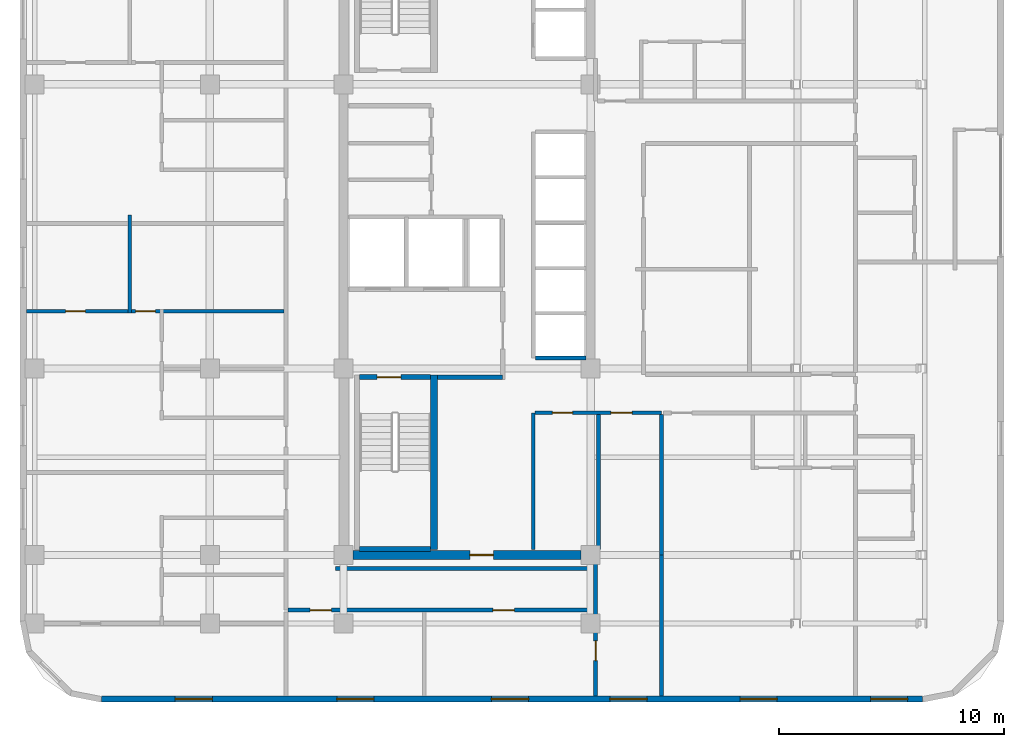
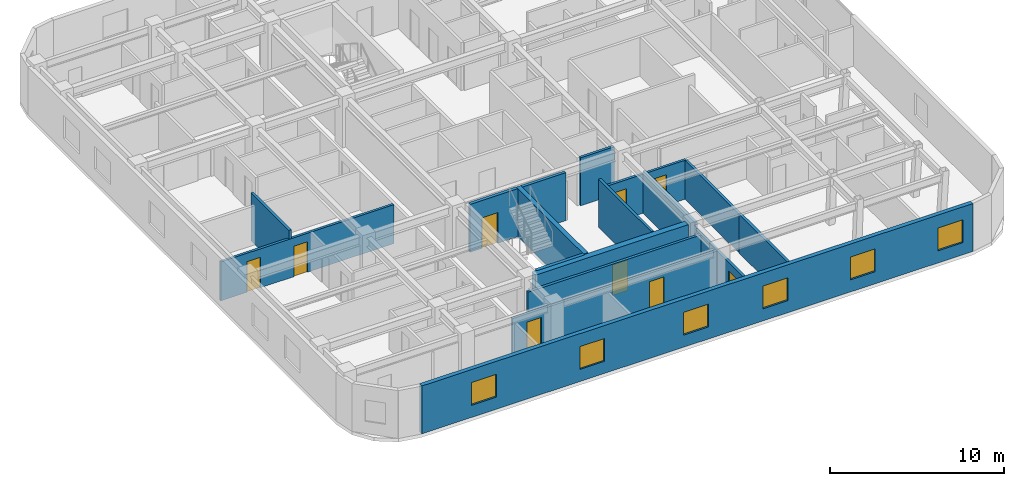
# One storey, part 4 of 9: 17 walls, 9 doors, 6 windows, 15 openings.
"""IFC4 building model written with IfcOpenShell, lengths in metres."""

from ifc_helpers import new_model, si_unit, direction, frame, frame_2d, origin, place, context, subcontext, project, spatial, rectangle, extrude, material, layer, layer_set, type_object, element, fill, save


model = new_model("IFC4")

# Units and contexts
model_context = context("Model", 3, precision=1e-05, world=origin(), true_north=direction((0.0, 1.0)))
body_context = subcontext(model_context, "Body", "Model", "MODEL_VIEW")
ifc_project = project(units=[si_unit("LENGTHUNIT", "METRE"), si_unit("AREAUNIT", "SQUARE_METRE"), si_unit("VOLUMEUNIT", "CUBIC_METRE"), si_unit("PLANEANGLEUNIT", "RADIAN"), si_unit("MASSUNIT", "GRAM", prefix="KILO")], contexts=[model_context])

# Site, building, storey
site_placement = place(None, origin())
site = spatial("IfcSite", under=ifc_project, at=site_placement, CompositionType="ELEMENT")
building_placement = place(site_placement, origin())
building = spatial("IfcBuilding", under=site, at=building_placement, Name="Ochreholt Gables", CompositionType="ELEMENT")
storey_placement = place(building_placement, frame((0.0, 0.0, 124.800048828125)))
storey = spatial("IfcBuildingStorey", under=building, at=storey_placement, Name="L32", CompositionType="ELEMENT", Elevation=124.800048828125)

# Wall, opening, door
ifc_material_1 = material(Name="Concrete 60 MPa", Category="concrete")
ifc_layer_1 = layer(ifc_material_1, 0.39990234375, Name="Concrete 60 MPa")
ifc_layer_set_1 = layer_set([ifc_layer_1], Name="Concrete 60 MPa")
wall_type_1 = type_object("IfcWallType", Name="WALL-CSW-400", PredefinedType="SHEAR", material=ifc_layer_set_1)
wall_1_placement = place(storey_placement, frame((24.625, 9.25, 0.0), z_axis=(0.0, 0.0, 1.0), x_axis=(1.0, 0.0, 0.0)))
wall_1 = element("IfcWall", 1, at=wall_1_placement, inside=storey, type_object=wall_type_1, Name="L32 Core South Shear Wall", PredefinedType="SHEAR", context=body_context, shape_type="SweptSolid", body=[
    extrude(rectangle(XDim=10.14990234375, YDim=0.39990234375, at=frame_2d((5.074951171875, 0.0))), origin(), (0.0, 0.0, 1.0), 3.35986328125),
])
opening_1_placement = place(wall_1_placement, frame((5.199951171875, 0.0, 0.0)))
opening_1 = element("IfcOpeningElement", 2, at=opening_1_placement, cuts=wall_1, Name="Opening D-FLB", PredefinedType="OPENING", context=body_context, shape_type="SweptSolid", body=[
    extrude(rectangle(XDim=1.050048828125, YDim=2.14990234375, at=frame_2d((0.52490234375, 1.074951171875))), frame((0.0, 0.2099609375, 0.0), z_axis=(0.0, -1.0, 0.0), x_axis=(1.0, 0.0, 0.0)), (0.0, 0.0, 1.0), 0.419921875),
])
ifc_material_2 = material(Name="Hollow Metal Steel", Category="steel")
door_type_1 = type_object("IfcDoorType", Name="DR-INT-FLB1050", OperationType="NOTDEFINED", PredefinedType="DOOR", material=ifc_material_2)
door_1_placement = place(opening_1_placement, origin())
door_1 = element("IfcDoor", 3, at=door_1_placement, inside=storey, type_object=door_type_1, Name="L32 Door D-C2CRS-L32", OperationType="SINGLE_SWING_LEFT", OverallHeight=2.14990234375, OverallWidth=1.050048828125, PredefinedType="DOOR", context=body_context, shape_type="SweptSolid", body=[
    extrude(rectangle(XDim=1.050048828125, YDim=2.14990234375, at=frame_2d((0.52490234375, 1.074951171875))), frame((0.0, 0.02490234375, 0.0), z_axis=(0.0, -1.0, 0.0), x_axis=(1.0, 0.0, 0.0)), (0.0, 0.0, 1.0), 0.050048828125),
])
fill(opening_1, door_1)

# Wall, openings, windows
ifc_material_3 = material(Name="Precast concrete 40 MPa", Category="concrete")
ifc_layer_2 = layer(ifc_material_3, 0.280029296875, Name="Precast concrete 40 MPa")
ifc_layer_set_2 = layer_set([ifc_layer_2], Name="Precast concrete 40 MPa")
wall_type_2 = type_object("IfcWallType", Name="WALL-EXT-280", PredefinedType="SOLIDWALL", material=ifc_layer_set_2)
wall_2_placement = place(storey_placement, frame((13.419921875, 2.840087890625, 0.0), z_axis=(0.0, 0.0, 1.0), x_axis=(1.0, 0.0, 0.0)))
wall_2 = element("IfcWall", 4, at=wall_2_placement, inside=storey, type_object=wall_type_2, Name="L32 South Exterior Wall", PredefinedType="SOLIDWALL", context=body_context, shape_type="SweptSolid", body=[
    extrude(rectangle(XDim=36.56005859375, YDim=0.280029296875, at=frame_2d((18.280029296875, 0.0))), origin(), (0.0, 0.0, 1.0), 3.35986328125),
])
opening_2_placement = place(wall_2_placement, frame((3.2900390625, 0.0, 0.85009765625)))
opening_2 = element("IfcOpeningElement", 5, at=opening_2_placement, cuts=wall_2, Name="Opening WN-7", PredefinedType="OPENING", context=body_context, shape_type="SweptSolid", body=[
    extrude(rectangle(XDim=1.64990234375, YDim=1.60009765625, at=frame_2d((0.824951171875, 0.800048828125))), frame((0.0, 0.14990234375, 0.0), z_axis=(0.0, -1.0, 0.0), x_axis=(1.0, 0.0, 0.0)), (0.0, 0.0, 1.0), 0.300048828125),
])
opening_3_placement = place(wall_2_placement, frame((10.47998046875, 0.0, 0.85009765625)))
opening_3 = element("IfcOpeningElement", 6, at=opening_3_placement, cuts=wall_2, Name="Opening WN-7", PredefinedType="OPENING", context=body_context, shape_type="SweptSolid", body=[
    extrude(rectangle(XDim=1.64990234375, YDim=1.60009765625, at=frame_2d((0.824951171875, 0.800048828125))), frame((0.0, 0.14990234375, 0.0), z_axis=(0.0, -1.0, 0.0), x_axis=(1.0, 0.0, 0.0)), (0.0, 0.0, 1.0), 0.300048828125),
])
opening_4_placement = place(wall_2_placement, frame((17.364990234375, 0.0, 0.85009765625)))
opening_4 = element("IfcOpeningElement", 7, at=opening_4_placement, cuts=wall_2, Name="Opening WN-7", PredefinedType="OPENING", context=body_context, shape_type="SweptSolid", body=[
    extrude(rectangle(XDim=1.64990234375, YDim=1.60009765625, at=frame_2d((0.824951171875, 0.800048828125))), frame((0.0, 0.14990234375, 0.0), z_axis=(0.0, -1.0, 0.0), x_axis=(1.0, 0.0, 0.0)), (0.0, 0.0, 1.0), 0.300048828125),
])
opening_5_placement = place(wall_2_placement, frame((22.639892578125, 0.0, 0.85009765625)))
opening_5 = element("IfcOpeningElement", 8, at=opening_5_placement, cuts=wall_2, Name="Opening WN-7", PredefinedType="OPENING", context=body_context, shape_type="SweptSolid", body=[
    extrude(rectangle(XDim=1.64990234375, YDim=1.60009765625, at=frame_2d((0.824951171875, 0.800048828125))), frame((0.0, 0.14990234375, 0.0), z_axis=(0.0, -1.0, 0.0), x_axis=(1.0, 0.0, 0.0)), (0.0, 0.0, 1.0), 0.300048828125),
])
opening_6_placement = place(wall_2_placement, frame((28.429931640625, 0.0, 0.85009765625)))
opening_6 = element("IfcOpeningElement", 9, at=opening_6_placement, cuts=wall_2, Name="Opening WN-7", PredefinedType="OPENING", context=body_context, shape_type="SweptSolid", body=[
    extrude(rectangle(XDim=1.64990234375, YDim=1.60009765625, at=frame_2d((0.824951171875, 0.800048828125))), frame((0.0, 0.14990234375, 0.0), z_axis=(0.0, -1.0, 0.0), x_axis=(1.0, 0.0, 0.0)), (0.0, 0.0, 1.0), 0.300048828125),
])
opening_7_placement = place(wall_2_placement, frame((34.2451171875, 0.0, 0.85009765625)))
opening_7 = element("IfcOpeningElement", 10, at=opening_7_placement, cuts=wall_2, Name="Opening WN-7", PredefinedType="OPENING", context=body_context, shape_type="SweptSolid", body=[
    extrude(rectangle(XDim=1.64990234375, YDim=1.60009765625, at=frame_2d((0.824951171875, 0.800048828125))), frame((0.0, 0.14990234375, 0.0), z_axis=(0.0, -1.0, 0.0), x_axis=(1.0, 0.0, 0.0)), (0.0, 0.0, 1.0), 0.300048828125),
])
ifc_material_4 = material(Name="Triple-Glazed Thermally Broken Aluminium Window", Category="aluminium")
window_type = type_object("IfcWindowType", Name="WIN-RES-1650", PartitioningType="SINGLE_PANEL", PredefinedType="WINDOW", material=ifc_material_4)
window_1_placement = place(opening_2_placement, origin())
window_1 = element("IfcWindow", 11, at=window_1_placement, inside=storey, type_object=window_type, Name="L32 Window W-EXT-S-L32-1", OverallHeight=1.60009765625, OverallWidth=1.64990234375, PartitioningType="SINGLE_PANEL", PredefinedType="WINDOW", context=body_context, shape_type="SweptSolid", body=[
    extrude(rectangle(XDim=1.64990234375, YDim=1.60009765625, at=frame_2d((0.824951171875, 0.800048828125))), frame((0.0, 0.030029296875, 0.0), z_axis=(0.0, -1.0, 0.0), x_axis=(1.0, 0.0, 0.0)), (0.0, 0.0, 1.0), 0.06005859375),
])
fill(opening_2, window_1)
window_2_placement = place(opening_3_placement, origin())
window_2 = element("IfcWindow", 12, at=window_2_placement, inside=storey, type_object=window_type, Name="L32 Window W-EXT-S-L32-2", OverallHeight=1.60009765625, OverallWidth=1.64990234375, PartitioningType="SINGLE_PANEL", PredefinedType="WINDOW", context=body_context, shape_type="SweptSolid", body=[
    extrude(rectangle(XDim=1.64990234375, YDim=1.60009765625, at=frame_2d((0.824951171875, 0.800048828125))), frame((0.0, 0.030029296875, 0.0), z_axis=(0.0, -1.0, 0.0), x_axis=(1.0, 0.0, 0.0)), (0.0, 0.0, 1.0), 0.06005859375),
])
fill(opening_3, window_2)
window_3_placement = place(opening_4_placement, origin())
window_3 = element("IfcWindow", 13, at=window_3_placement, inside=storey, type_object=window_type, Name="L32 Window W-EXT-S-L32-3", OverallHeight=1.60009765625, OverallWidth=1.64990234375, PartitioningType="SINGLE_PANEL", PredefinedType="WINDOW", context=body_context, shape_type="SweptSolid", body=[
    extrude(rectangle(XDim=1.64990234375, YDim=1.60009765625, at=frame_2d((0.824951171875, 0.800048828125))), frame((0.0, 0.030029296875, 0.0), z_axis=(0.0, -1.0, 0.0), x_axis=(1.0, 0.0, 0.0)), (0.0, 0.0, 1.0), 0.06005859375),
])
fill(opening_4, window_3)
window_4_placement = place(opening_5_placement, origin())
window_4 = element("IfcWindow", 14, at=window_4_placement, inside=storey, type_object=window_type, Name="L32 Window W-EXT-S-L32-4", OverallHeight=1.60009765625, OverallWidth=1.64990234375, PartitioningType="SINGLE_PANEL", PredefinedType="WINDOW", context=body_context, shape_type="SweptSolid", body=[
    extrude(rectangle(XDim=1.64990234375, YDim=1.60009765625, at=frame_2d((0.824951171875, 0.800048828125))), frame((0.0, 0.030029296875, 0.0), z_axis=(0.0, -1.0, 0.0), x_axis=(1.0, 0.0, 0.0)), (0.0, 0.0, 1.0), 0.06005859375),
])
fill(opening_5, window_4)
window_5_placement = place(opening_6_placement, origin())
window_5 = element("IfcWindow", 15, at=window_5_placement, inside=storey, type_object=window_type, Name="L32 Window W-EXT-S-L32-5", OverallHeight=1.60009765625, OverallWidth=1.64990234375, PartitioningType="SINGLE_PANEL", PredefinedType="WINDOW", context=body_context, shape_type="SweptSolid", body=[
    extrude(rectangle(XDim=1.64990234375, YDim=1.60009765625, at=frame_2d((0.824951171875, 0.800048828125))), frame((0.0, 0.030029296875, 0.0), z_axis=(0.0, -1.0, 0.0), x_axis=(1.0, 0.0, 0.0)), (0.0, 0.0, 1.0), 0.06005859375),
])
fill(opening_6, window_5)
window_6_placement = place(opening_7_placement, origin())
window_6 = element("IfcWindow", 16, at=window_6_placement, inside=storey, type_object=window_type, Name="L32 Window W-EXT-S-L32-6", OverallHeight=1.60009765625, OverallWidth=1.64990234375, PartitioningType="SINGLE_PANEL", PredefinedType="WINDOW", context=body_context, shape_type="SweptSolid", body=[
    extrude(rectangle(XDim=1.64990234375, YDim=1.60009765625, at=frame_2d((0.824951171875, 0.800048828125))), frame((0.0, 0.030029296875, 0.0), z_axis=(0.0, -1.0, 0.0), x_axis=(1.0, 0.0, 0.0)), (0.0, 0.0, 1.0), 0.06005859375),
])
fill(opening_7, window_6)

# Wall
ifc_material_5 = material(Name="Concrete 40 MPa", Category="concrete")
ifc_layer_3 = layer(ifc_material_5, 0.199951171875, Name="Concrete 40 MPa")
ifc_layer_set_3 = layer_set([ifc_layer_3], Name="Concrete 40 MPa")
wall_type_3 = type_object("IfcWallType", Name="WALL-INT-CF200", PredefinedType="STANDARD", material=ifc_layer_set_3)
wall_3_placement = place(storey_placement, frame((28.3798828125, 17.169921875, 0.0), z_axis=(0.0, 0.0, 1.0), x_axis=(1.0, 0.0, 0.0)))
element("IfcWall", 17, at=wall_3_placement, inside=storey, type_object=wall_type_3, Name="L32 Interior Wall WI-FFS-L32", PredefinedType="STANDARD", context=body_context, shape_type="SweptSolid", body=[
    extrude(rectangle(XDim=2.900146484375, YDim=0.199951171875, at=frame_2d((1.4501953125, 0.0))), origin(), (0.0, 0.0, 1.0), 3.35986328125),
])

# Wall, openings, doors
ifc_material_6 = material(Name="Fire-Rated Gypsum Acoustic Partition", Category="gypsum")
ifc_layer_4 = layer(ifc_material_6, 0.179931640625, Name="Fire-Rated Gypsum Acoustic Partition")
ifc_layer_set_4 = layer_set([ifc_layer_4], Name="Fire-Rated Gypsum Acoustic Partition")
wall_type_4 = type_object("IfcWallType", Name="WALL-INT-CR180", PredefinedType="STANDARD", material=ifc_layer_set_4)
wall_4_placement = place(storey_placement, frame((21.739990234375, 6.800048828125, 0.0), z_axis=(0.0, 0.0, 1.0), x_axis=(1.0, 0.0, 0.0)))
wall_4 = element("IfcWall", 18, at=wall_4_placement, inside=storey, type_object=wall_type_4, Name="L32 Interior Wall WI-C2WCS-L32", PredefinedType="STANDARD", context=body_context, shape_type="SweptSolid", body=[
    extrude(rectangle(XDim=13.679931640625, YDim=0.179931640625, at=frame_2d((6.83984375, 0.0))), origin(), (0.0, 0.0, 1.0), 2.73095703125),
])
opening_8_placement = place(wall_4_placement, frame((0.969970703125, 0.0, 0.0)))
opening_8 = element("IfcOpeningElement", 19, at=opening_8_placement, cuts=wall_4, Name="Opening D-GN1", PredefinedType="OPENING", context=body_context, shape_type="SweptSolid", body=[
    extrude(rectangle(XDim=0.949951171875, YDim=2.14990234375, at=frame_2d((0.47509765625, 1.074951171875))), frame((0.0, 0.099853515625, 0.0), z_axis=(0.0, -1.0, 0.0), x_axis=(1.0, 0.0, 0.0)), (0.0, 0.0, 1.0), 0.199951171875),
])
opening_9_placement = place(wall_4_placement, frame((9.110107421875, 0.0, 0.0)))
opening_9 = element("IfcOpeningElement", 20, at=opening_9_placement, cuts=wall_4, Name="Opening D-GN1", PredefinedType="OPENING", context=body_context, shape_type="SweptSolid", body=[
    extrude(rectangle(XDim=0.949951171875, YDim=2.14990234375, at=frame_2d((0.47509765625, 1.074951171875))), frame((0.0, 0.099853515625, 0.0), z_axis=(0.0, -1.0, 0.0), x_axis=(1.0, 0.0, 0.0)), (0.0, 0.0, 1.0), 0.199951171875),
])
ifc_material_7 = material(Name="Engineered Oak Timber", Category="wood")
door_type_2 = type_object("IfcDoorType", Name="DR-INT-GEN950", OperationType="NOTDEFINED", PredefinedType="DOOR", material=ifc_material_7)
door_2_placement = place(opening_8_placement, origin())
door_2 = element("IfcDoor", 21, at=door_2_placement, inside=storey, type_object=door_type_2, Name="L32 Door D-C2STL1-L32", OperationType="SINGLE_SWING_LEFT", OverallHeight=2.14990234375, OverallWidth=0.949951171875, PredefinedType="DOOR", context=body_context, shape_type="SweptSolid", body=[
    extrude(rectangle(XDim=0.949951171875, YDim=2.14990234375, at=frame_2d((0.47509765625, 1.074951171875))), frame((0.0, 0.02490234375, 0.0), z_axis=(0.0, -1.0, 0.0), x_axis=(1.0, 0.0, 0.0)), (0.0, 0.0, 1.0), 0.050048828125),
])
fill(opening_8, door_2)
door_3_placement = place(opening_9_placement, origin())
door_3 = element("IfcDoor", 22, at=door_3_placement, inside=storey, type_object=door_type_2, Name="L32 Door D-C2STL2-L32", OperationType="SINGLE_SWING_RIGHT", OverallHeight=2.14990234375, OverallWidth=0.949951171875, PredefinedType="DOOR", context=body_context, shape_type="SweptSolid", body=[
    extrude(rectangle(XDim=0.949951171875, YDim=2.14990234375, at=frame_2d((0.47509765625, 1.074951171875))), frame((0.0, 0.02490234375, 0.0), z_axis=(0.0, -1.0, 0.0), x_axis=(1.0, 0.0, 0.0)), (0.0, 0.0, 1.0), 0.050048828125),
])
fill(opening_9, door_3)

# Wall
wall_5_placement = place(storey_placement, frame((23.85009765625, 8.64990234375, 0.0), z_axis=(0.0, 0.0, 1.0), x_axis=(1.0, 0.0, 0.0)))
element("IfcWall", 23, at=wall_5_placement, inside=storey, type_object=wall_type_4, Name="L32 Interior Wall WI-C2WCS2-L32", PredefinedType="STANDARD", context=body_context, shape_type="SweptSolid", body=[
    extrude(rectangle(XDim=11.56982421875, YDim=0.179931640625, at=frame_2d((5.784912109375, 0.0))), origin(), (0.0, 0.0, 1.0), 2.73095703125),
])

# Wall, opening, door
ifc_material_8 = material(Name="Double-Stud Acoustic Demising Wall", Category="gypsum")
ifc_layer_5 = layer(ifc_material_8, 0.179931640625, Name="Double-Stud Acoustic Demising Wall")
ifc_layer_set_5 = layer_set([ifc_layer_5], Name="Double-Stud Acoustic Demising Wall")
wall_type_5 = type_object("IfcWallType", Name="WALL-INT-DM180", PredefinedType="PARTITIONING", material=ifc_layer_set_5)
wall_6_placement = place(storey_placement, frame((35.419921875, 2.97998046875, 0.0), z_axis=(0.0, 0.0, 1.0), x_axis=(0.0, 1.0, 0.0)))
wall_6 = element("IfcWall", 24, at=wall_6_placement, inside=storey, type_object=wall_type_5, Name="L32 Interior Wall WI-C2SES-L32", PredefinedType="PARTITIONING", context=body_context, shape_type="SweptSolid", body=[
    extrude(rectangle(XDim=6.27001953125, YDim=0.179931640625, at=frame_2d((3.135009765625, 0.0))), origin(), (0.0, 0.0, 1.0), 2.73095703125),
])
opening_10_placement = place(wall_6_placement, frame((1.570068359375, 0.0, 0.0)))
opening_10 = element("IfcOpeningElement", 25, at=opening_10_placement, cuts=wall_6, Name="Opening D-GN2", PredefinedType="OPENING", context=body_context, shape_type="SweptSolid", body=[
    extrude(rectangle(XDim=0.8798828125, YDim=2.1201171875, at=frame_2d((0.43994140625, 1.06005859375))), frame((0.0, 0.099853515625, 0.0), z_axis=(0.0, -1.0, 0.0), x_axis=(1.0, 0.0, 0.0)), (0.0, 0.0, 1.0), 0.199951171875),
])
door_type_3 = type_object("IfcDoorType", Name="DR-INT-GEN880", OperationType="NOTDEFINED", PredefinedType="DOOR", material=ifc_material_7)
door_4_placement = place(opening_10_placement, origin())
door_4 = element("IfcDoor", 26, at=door_4_placement, inside=storey, type_object=door_type_3, Name="L32 Door D-C2SPS-L32", OperationType="SINGLE_SWING_LEFT", OverallHeight=2.1201171875, OverallWidth=0.8798828125, PredefinedType="DOOR", context=body_context, shape_type="SweptSolid", body=[
    extrude(rectangle(XDim=0.8798828125, YDim=2.1201171875, at=frame_2d((0.43994140625, 1.06005859375))), frame((0.0, 0.02490234375, 0.0), z_axis=(0.0, -1.0, 0.0), x_axis=(1.0, 0.0, 0.0)), (0.0, 0.0, 1.0), 0.050048828125),
])
fill(opening_10, door_4)

# Walls
wall_7_placement = place(storey_placement, frame((38.35009765625, 2.97998046875, 0.0), z_axis=(0.0, 0.0, 1.0), x_axis=(0.0, 1.0, 0.0)))
element("IfcWall", 27, at=wall_7_placement, inside=storey, type_object=wall_type_5, Name="L32 Interior Wall WI-C2SEW2-L32", PredefinedType="PARTITIONING", context=body_context, shape_type="SweptSolid", body=[
    extrude(rectangle(XDim=6.27001953125, YDim=0.179931640625, at=frame_2d((3.135009765625, 0.0))), origin(), (0.0, 0.0, 1.0), 2.73095703125),
])
ifc_material_9 = material(Name="Gypsum Acoustic Stud Partition", Category="gypsum")
ifc_layer_6 = layer(ifc_material_9, 0.1650390625, Name="Gypsum Acoustic Stud Partition")
ifc_layer_set_6 = layer_set([ifc_layer_6], Name="Gypsum Acoustic Stud Partition")
wall_type_6 = type_object("IfcWallType", Name="WALL-INT-PT165", PredefinedType="PARTITIONING", material=ifc_layer_set_6)
wall_8_placement = place(storey_placement, frame((32.64990234375, 9.5, 0.0), z_axis=(0.0, 0.0, 1.0), x_axis=(0.0, 1.0, 0.0)))
element("IfcWall", 28, at=wall_8_placement, inside=storey, type_object=wall_type_6, Name="L32 Interior Wall WI-RCL-W-L32", PredefinedType="PARTITIONING", context=body_context, shape_type="SweptSolid", body=[
    extrude(rectangle(XDim=6.080078125, YDim=0.1650390625, at=frame_2d((3.0400390625, 0.0))), origin(), (0.0, 0.0, 1.0), 3.35986328125),
])

# Wall, openings, doors
wall_9_placement = place(storey_placement, frame((32.732421875, 15.580078125, 0.0), z_axis=(0.0, 0.0, 1.0), x_axis=(1.0, 0.0, 0.0)))
wall_9 = element("IfcWall", 29, at=wall_9_placement, inside=storey, type_object=wall_type_6, Name="L32 Interior Wall WI-RCL-N-L32", PredefinedType="PARTITIONING", context=body_context, shape_type="SweptSolid", body=[
    extrude(rectangle(XDim=5.61767578125, YDim=0.1650390625, at=frame_2d((2.808837890625, 0.0))), origin(), (0.0, 0.0, 1.0), 2.73095703125),
])
opening_11_placement = place(wall_9_placement, frame((0.767578125, 0.0, 0.0)))
opening_11 = element("IfcOpeningElement", 30, at=opening_11_placement, cuts=wall_9, Name="Opening D-SV1", PredefinedType="OPENING", context=body_context, shape_type="SweptSolid", body=[
    extrude(rectangle(XDim=0.89990234375, YDim=2.10009765625, at=frame_2d((0.449951171875, 1.050048828125))), frame((0.0, 0.092529296875, 0.0), z_axis=(0.0, -1.0, 0.0), x_axis=(1.0, 0.0, 0.0)), (0.0, 0.0, 1.0), 0.18505859375),
])
opening_12_placement = place(wall_9_placement, frame((3.367431640625, 0.0, 0.0)))
opening_12 = element("IfcOpeningElement", 31, at=opening_12_placement, cuts=wall_9, Name="Opening D-GN1", PredefinedType="OPENING", context=body_context, shape_type="SweptSolid", body=[
    extrude(rectangle(XDim=0.949951171875, YDim=2.14990234375, at=frame_2d((0.47509765625, 1.074951171875))), frame((0.0, 0.092529296875, 0.0), z_axis=(0.0, -1.0, 0.0), x_axis=(1.0, 0.0, 0.0)), (0.0, 0.0, 1.0), 0.18505859375),
])
door_5_placement = place(opening_12_placement, origin())
door_5 = element("IfcDoor", 32, at=door_5_placement, inside=storey, type_object=door_type_2, Name="L32 Door D-RCL2-L32", OperationType="SINGLE_SWING_RIGHT", OverallHeight=2.14990234375, OverallWidth=0.949951171875, PredefinedType="DOOR", context=body_context, shape_type="SweptSolid", body=[
    extrude(rectangle(XDim=0.949951171875, YDim=2.14990234375, at=frame_2d((0.47509765625, 1.074951171875))), frame((0.0, 0.02490234375, 0.0), z_axis=(0.0, -1.0, 0.0), x_axis=(1.0, 0.0, 0.0)), (0.0, 0.0, 1.0), 0.050048828125),
])
fill(opening_12, door_5)
door_type_4 = type_object("IfcDoorType", Name="DR-INT-SRV900", OperationType="NOTDEFINED", PredefinedType="DOOR", material=ifc_material_2)
door_6_placement = place(opening_11_placement, origin())
door_6 = element("IfcDoor", 33, at=door_6_placement, inside=storey, type_object=door_type_4, Name="L32 Door D-RCL1-L32", OperationType="SINGLE_SWING_LEFT", OverallHeight=2.10009765625, OverallWidth=0.89990234375, PredefinedType="DOOR", context=body_context, shape_type="SweptSolid", body=[
    extrude(rectangle(XDim=0.89990234375, YDim=2.10009765625, at=frame_2d((0.449951171875, 1.050048828125))), frame((0.0, 0.02490234375, 0.0), z_axis=(0.0, -1.0, 0.0), x_axis=(1.0, 0.0, 0.0)), (0.0, 0.0, 1.0), 0.050048828125),
])
fill(opening_11, door_6)

# Walls
wall_10_placement = place(storey_placement, frame((38.35009765625, 9.25, 0.0), z_axis=(0.0, 0.0, 1.0), x_axis=(0.0, 1.0, 0.0)))
element("IfcWall", 34, at=wall_10_placement, inside=storey, type_object=wall_type_6, Name="L32 Interior Wall WI-RCL-E-L32", PredefinedType="PARTITIONING", context=body_context, shape_type="SweptSolid", body=[
    extrude(rectangle(XDim=6.24755859375, YDim=0.1650390625, at=frame_2d((3.123779296875, 0.0))), origin(), (0.0, 0.0, 1.0), 2.73095703125),
])
wall_11_placement = place(storey_placement, frame((35.550048828125, 9.5, 0.0), z_axis=(0.0, 0.0, 1.0), x_axis=(0.0, 1.0, 0.0)))
element("IfcWall", 35, at=wall_11_placement, inside=storey, type_object=wall_type_6, Name="L32 Interior Wall WI-RCL-DV-L32", PredefinedType="PARTITIONING", context=body_context, shape_type="SweptSolid", body=[
    extrude(rectangle(XDim=5.99755859375, YDim=0.1650390625, at=frame_2d((2.998779296875, 0.0))), origin(), (0.0, 0.0, 1.0), 2.988037109375),
])

# Wall, openings, doors
wall_12_placement = place(storey_placement, frame((10.080078125, 20.096435546875, 0.0), z_axis=(0.0, 0.0, 1.0), x_axis=(1.0, 0.0, 0.0)))
wall_12 = element("IfcWall", 36, at=wall_12_placement, inside=storey, type_object=wall_type_6, Name="L32 Interior Wall WU-L32W2-MN", PredefinedType="PARTITIONING", context=body_context, shape_type="SweptSolid", body=[
    extrude(rectangle(XDim=11.47998046875, YDim=0.1650390625, at=frame_2d((5.739990234375, 0.0))), origin(), (0.0, 0.0, 1.0), 2.73095703125),
])
opening_13_placement = place(wall_12_placement, frame((1.75, 0.0, 0.0)))
opening_13 = element("IfcOpeningElement", 37, at=opening_13_placement, cuts=wall_12, Name="Opening D-BD2", PredefinedType="OPENING", context=body_context, shape_type="SweptSolid", body=[
    extrude(rectangle(XDim=0.8798828125, YDim=2.139892578125, at=frame_2d((0.43994140625, 1.06982421875))), frame((0.0, 0.092529296875, 0.0), z_axis=(0.0, -1.0, 0.0), x_axis=(1.0, 0.0, 0.0)), (0.0, 0.0, 1.0), 0.18505859375),
])
opening_14_placement = place(wall_12_placement, frame((4.8701171875, 0.0, 0.0)))
opening_14 = element("IfcOpeningElement", 38, at=opening_14_placement, cuts=wall_12, Name="Opening D-BD2", PredefinedType="OPENING", context=body_context, shape_type="SweptSolid", body=[
    extrude(rectangle(XDim=0.8798828125, YDim=2.139892578125, at=frame_2d((0.43994140625, 1.06982421875))), frame((0.0, 0.092529296875, 0.0), z_axis=(0.0, -1.0, 0.0), x_axis=(1.0, 0.0, 0.0)), (0.0, 0.0, 1.0), 0.18505859375),
])
door_type_5 = type_object("IfcDoorType", Name="DR-INT-BED880", OperationType="NOTDEFINED", PredefinedType="DOOR", material=ifc_material_7)
door_7_placement = place(opening_13_placement, origin())
door_7 = element("IfcDoor", 39, at=door_7_placement, inside=storey, type_object=door_type_5, Name="L32 Door D-U-L32W2-BD1", OperationType="SINGLE_SWING_LEFT", OverallHeight=2.139892578125, OverallWidth=0.8798828125, PredefinedType="DOOR", context=body_context, shape_type="SweptSolid", body=[
    extrude(rectangle(XDim=0.8798828125, YDim=2.139892578125, at=frame_2d((0.43994140625, 1.06982421875))), frame((0.0, 0.02490234375, 0.0), z_axis=(0.0, -1.0, 0.0), x_axis=(1.0, 0.0, 0.0)), (0.0, 0.0, 1.0), 0.050048828125),
])
fill(opening_13, door_7)
door_8_placement = place(opening_14_placement, origin())
door_8 = element("IfcDoor", 40, at=door_8_placement, inside=storey, type_object=door_type_5, Name="L32 Door D-U-L32W2-BD2", OperationType="SINGLE_SWING_RIGHT", OverallHeight=2.139892578125, OverallWidth=0.8798828125, PredefinedType="DOOR", context=body_context, shape_type="SweptSolid", body=[
    extrude(rectangle(XDim=0.8798828125, YDim=2.139892578125, at=frame_2d((0.43994140625, 1.06982421875))), frame((0.0, 0.02490234375, 0.0), z_axis=(0.0, -1.0, 0.0), x_axis=(1.0, 0.0, 0.0)), (0.0, 0.0, 1.0), 0.050048828125),
])
fill(opening_14, door_8)

# Walls
wall_13_placement = place(storey_placement, frame((14.679931640625, 20.016357421875, 0.0), z_axis=(0.0, 0.0, 1.0), x_axis=(0.0, 1.0, 0.0)))
element("IfcWall", 41, at=wall_13_placement, inside=storey, type_object=wall_type_6, Name="L32 Interior Wall WU-L32W2-BSD", PredefinedType="PARTITIONING", context=body_context, shape_type="SweptSolid", body=[
    extrude(rectangle(XDim=4.37353515625, YDim=0.1650390625, at=frame_2d((2.186767578125, 0.0))), origin(), (0.0, 0.0, 1.0), 3.35986328125),
])
ifc_material_10 = material(Name="Gypsum Shaftliner and Steel Stud", Category="steel")
ifc_layer_7 = layer(ifc_material_10, 0.179931640625, Name="Gypsum Shaftliner and Steel Stud")
ifc_layer_set_7 = layer_set([ifc_layer_7], Name="Gypsum Shaftliner and Steel Stud")
wall_type_7 = type_object("IfcWallType", Name="WALL-INT-SH180", PredefinedType="STANDARD", material=ifc_layer_set_7)
wall_14_placement = place(storey_placement, frame((32.739990234375, 18.02001953125, 0.0), z_axis=(0.0, 0.0, 1.0), x_axis=(1.0, 0.0, 0.0)))
element("IfcWall", 42, at=wall_14_placement, inside=storey, type_object=wall_type_7, Name="L32 Interior Wall WI-LFHE-S-L32", PredefinedType="STANDARD", context=body_context, shape_type="SweptSolid", body=[
    extrude(rectangle(XDim=2.260009765625, YDim=0.179931640625, at=frame_2d((1.1298828125, 0.0))), origin(), (0.0, 0.0, 1.0), 3.35986328125),
])
ifc_layer_8 = layer(ifc_material_1, 0.300048828125, Name="Concrete 60 MPa")
ifc_layer_set_8 = layer_set([ifc_layer_8], Name="Concrete 60 MPa")
wall_type_8 = type_object("IfcWallType", Name="WALL-SPN-300", PredefinedType="SHEAR", material=ifc_layer_set_8)
wall_15_placement = place(storey_placement, frame((28.22998046875, 9.5, 0.0), z_axis=(0.0, 0.0, 1.0), x_axis=(0.0, 1.0, 0.0)))
element("IfcWall", 43, at=wall_15_placement, inside=storey, type_object=wall_type_8, Name="L32 Core South Spine Shear Wall", PredefinedType="SHEAR", context=body_context, shape_type="SweptSolid", body=[
    extrude(rectangle(XDim=7.760009765625, YDim=0.300048828125, at=frame_2d((3.8798828125, 0.0))), origin(), (0.0, 0.0, 1.0), 3.35986328125),
])
ifc_material_11 = material(Name="Concrete 50 MPa", Category="concrete")
ifc_layer_9 = layer(ifc_material_11, 0.219970703125, Name="Concrete 50 MPa")
ifc_layer_set_9 = layer_set([ifc_layer_9], Name="Concrete 50 MPa")
wall_type_9 = type_object("IfcWallType", Name="WALL-STW-220", PredefinedType="SHEAR", material=ifc_layer_set_9)
wall_16_placement = place(storey_placement, frame((24.919921875, 9.510009765625, 0.0), z_axis=(0.0, 0.0, 1.0), x_axis=(1.0, 0.0, 0.0)))
element("IfcWall", 44, at=wall_16_placement, inside=storey, type_object=wall_type_9, Name="L32 Exit Stair 1 South Wall", PredefinedType="SHEAR", context=body_context, shape_type="SweptSolid", body=[
    extrude(rectangle(XDim=3.16015625, YDim=0.219970703125, at=frame_2d((1.580078125, 0.0))), origin(), (0.0, 0.0, 1.0), 3.35986328125),
])

# Wall, opening, door
wall_17_placement = place(storey_placement, frame((24.919921875, 17.169921875, 0.0), z_axis=(0.0, 0.0, 1.0), x_axis=(1.0, 0.0, 0.0)))
wall_17 = element("IfcWall", 45, at=wall_17_placement, inside=storey, type_object=wall_type_9, Name="L32 Exit Stair 1 North Wall", PredefinedType="SHEAR", context=body_context, shape_type="SweptSolid", body=[
    extrude(rectangle(XDim=3.16015625, YDim=0.219970703125, at=frame_2d((1.580078125, 0.0))), origin(), (0.0, 0.0, 1.0), 3.35986328125),
])
opening_15_placement = place(wall_17_placement, frame((0.780029296875, 0.0, 0.0)))
opening_15 = element("IfcOpeningElement", 46, at=opening_15_placement, cuts=wall_17, Name="Opening D-STC", PredefinedType="OPENING", context=body_context, shape_type="SweptSolid", body=[
    extrude(rectangle(XDim=1.050048828125, YDim=2.14990234375, at=frame_2d((0.52490234375, 1.074951171875))), frame((0.0, 0.119873046875, 0.0), z_axis=(0.0, -1.0, 0.0), x_axis=(1.0, 0.0, 0.0)), (0.0, 0.0, 1.0), 0.239990234375),
])
door_type_6 = type_object("IfcDoorType", Name="DR-INT-ST1050", OperationType="NOTDEFINED", PredefinedType="DOOR", material=ifc_material_2)
door_9_placement = place(opening_15_placement, frame((1.050048828125, 0.0, 0.0), z_axis=(0.0, 0.0, 1.0), x_axis=(-1.0, 0.0, 0.0)))
door_9 = element("IfcDoor", 47, at=door_9_placement, inside=storey, type_object=door_type_6, Name="L32 Door D-ST1-L32", OperationType="SINGLE_SWING_LEFT", OverallHeight=2.14990234375, OverallWidth=1.050048828125, PredefinedType="DOOR", context=body_context, shape_type="SweptSolid", body=[
    extrude(rectangle(XDim=1.050048828125, YDim=2.14990234375, at=frame_2d((0.52490234375, 1.074951171875))), frame((0.0, 0.02490234375, 0.0), z_axis=(0.0, -1.0, 0.0), x_axis=(1.0, 0.0, 0.0)), (0.0, 0.0, 1.0), 0.050048828125),
])
fill(opening_15, door_9)

save(model, "model.ifc")
